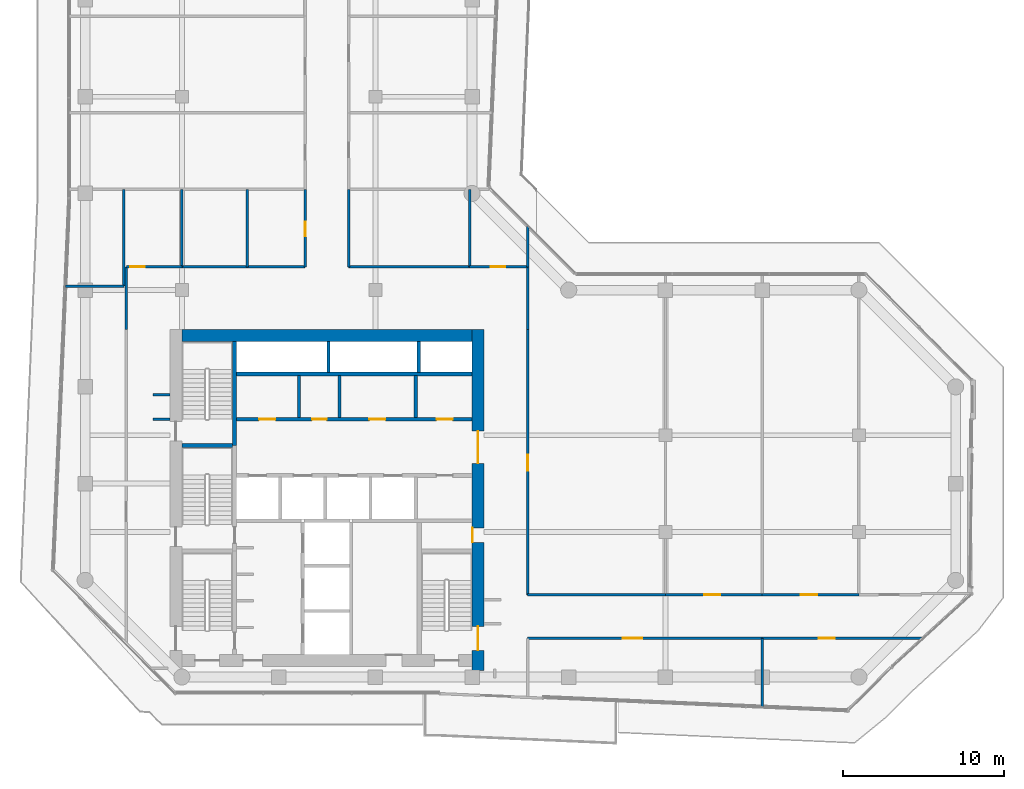
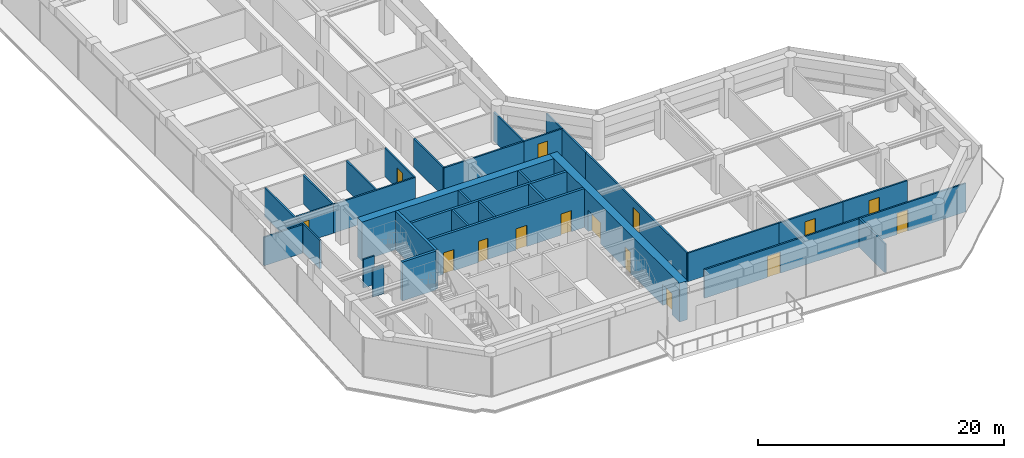
# One storey, part 21 of 25: 34 walls, 15 doors, 15 openings.
"""IFC4 building model written with IfcOpenShell, lengths in metres."""

from ifc_helpers import new_model, si_unit, direction, frame, frame_2d, origin, place, context, subcontext, project, spatial, rectangle, extrude, material, layer, layer_set, type_object, element, fill, save


model = new_model("IFC4")

# Units and contexts
model_context = context("Model", 3, precision=1e-05, world=origin(), true_north=direction((0.0, 1.0)))
body_context = subcontext(model_context, "Body", "Model", "MODEL_VIEW")
ifc_project = project(units=[si_unit("LENGTHUNIT", "METRE"), si_unit("AREAUNIT", "SQUARE_METRE"), si_unit("VOLUMEUNIT", "CUBIC_METRE"), si_unit("PLANEANGLEUNIT", "RADIAN"), si_unit("MASSUNIT", "GRAM", prefix="KILO")], contexts=[model_context])

# Site, building, storey
site_placement = place(None, origin())
site = spatial("IfcSite", under=ifc_project, at=site_placement, CompositionType="ELEMENT")
building_placement = place(site_placement, origin())
building = spatial("IfcBuilding", under=site, at=building_placement, Name="Welwitschia Terrace Campus", CompositionType="ELEMENT")
storey_placement = place(building_placement, frame((0.0, 0.0, 121.39990234375)))
storey = spatial("IfcBuildingStorey", under=building, at=storey_placement, Name="L27", CompositionType="ELEMENT", Elevation=121.39990234375)

# Walls
ifc_material_1 = material(Name="Concrete C32/40", Category="concrete")
ifc_layer_1 = layer(ifc_material_1, 0.175048828125)
ifc_layer_set_1 = layer_set([ifc_layer_1], Name="Concrete C32/40")
wall_type_1 = type_object("IfcWallType", Name="Core partition 175 Concrete C32/40", PredefinedType="PARTITIONING", material=ifc_layer_set_1)
for number, where, z_axis, x_axis, name in (
    (1, (13.27490234375, 20.10009765625, 0.0), (0.0, 0.0, 1.0), (0.0, 1.0, 0.0), "Core partition"),
    (2, (15.77490234375, 20.10009765625, 0.0), (0.0, 0.0, 1.0), (0.0, 1.0, 0.0), "Core partition"),
):
    element("IfcWall", number, at=place(storey_placement, frame(where, z_axis=z_axis, x_axis=x_axis)), inside=storey, type_object=wall_type_1, Name=name, PredefinedType="PARTITIONING", context=body_context, shape_type="SweptSolid", body=[
        extrude(rectangle(XDim=2.599853515625, YDim=0.175048828125, at=frame_2d((1.2998046875, 0.0))), origin(), (0.0, 0.0, 1.0), 3.85009765625),
    ])

# Wall, openings, doors
ifc_material_2 = material(Name="Concrete C32/40", Category="concrete")
ifc_layer_2 = layer(ifc_material_2, 0.22509765625)
ifc_layer_set_2 = layer_set([ifc_layer_2], Name="Concrete C32/40")
wall_type_2 = type_object("IfcWallType", Name="Core partition 225 Concrete C32/40", PredefinedType="PARTITIONING", material=ifc_layer_set_2)
wall_1_placement = place(storey_placement, frame((24.0, 20.0, 0.0), z_axis=(0.0, 0.0, 1.0), x_axis=(-1.0, 0.0, 0.0)))
wall_1 = element("IfcWall", 3, at=wall_1_placement, inside=storey, type_object=wall_type_2, Name="Core partition", PredefinedType="PARTITIONING", context=body_context, shape_type="SweptSolid", body=[
    extrude(rectangle(XDim=14.60009765625, YDim=0.22509765625, at=frame_2d((7.300048828125, 0.0))), origin(), (0.0, 0.0, 1.0), 3.85009765625),
])
opening_1_placement = place(wall_1_placement, frame((12.199951171875, 0.0, 0.0)))
opening_1 = element("IfcOpeningElement", 4, at=opening_1_placement, cuts=wall_1, Name="Opening DR10", PredefinedType="OPENING", context=body_context, shape_type="SweptSolid", body=[
    extrude(rectangle(XDim=1.0, YDim=2.10009765625, at=frame_2d((0.5, 1.050048828125))), frame((0.0, 0.12255859375, 0.0), z_axis=(0.0, -1.0, 0.0), x_axis=(1.0, 0.0, 0.0)), (0.0, 0.0, 1.0), 0.2451171875),
])
opening_2_placement = place(wall_1_placement, frame((9.02490234375, 0.0, 0.0)))
opening_2 = element("IfcOpeningElement", 5, at=opening_2_placement, cuts=wall_1, Name="Opening DR09", PredefinedType="OPENING", context=body_context, shape_type="SweptSolid", body=[
    extrude(rectangle(XDim=0.89990234375, YDim=2.10009765625, at=frame_2d((0.449951171875, 1.050048828125))), frame((0.0, 0.12255859375, 0.0), z_axis=(0.0, -1.0, 0.0), x_axis=(1.0, 0.0, 0.0)), (0.0, 0.0, 1.0), 0.2451171875),
])
opening_3_placement = place(wall_1_placement, frame((5.375, 0.0, 0.0)))
opening_3 = element("IfcOpeningElement", 6, at=opening_3_placement, cuts=wall_1, Name="Opening DR10", PredefinedType="OPENING", context=body_context, shape_type="SweptSolid", body=[
    extrude(rectangle(XDim=1.0, YDim=2.10009765625, at=frame_2d((0.5, 1.050048828125))), frame((0.0, 0.12255859375, 0.0), z_axis=(0.0, -1.0, 0.0), x_axis=(1.0, 0.0, 0.0)), (0.0, 0.0, 1.0), 0.2451171875),
])
opening_4_placement = place(wall_1_placement, frame((1.199951171875, 0.0, 0.0)))
opening_4 = element("IfcOpeningElement", 7, at=opening_4_placement, cuts=wall_1, Name="Opening DR10", PredefinedType="OPENING", context=body_context, shape_type="SweptSolid", body=[
    extrude(rectangle(XDim=1.0, YDim=2.10009765625, at=frame_2d((0.5, 1.050048828125))), frame((0.0, 0.12255859375, 0.0), z_axis=(0.0, -1.0, 0.0), x_axis=(1.0, 0.0, 0.0)), (0.0, 0.0, 1.0), 0.2451171875),
])
ifc_material_3 = material(Name="Steel S275", Category="steel")
door_type_1 = type_object("IfcDoorType", Name="Core door DR09", OperationType="SINGLE_SWING_LEFT", PredefinedType="DOOR", material=ifc_material_3)
door_1_placement = place(opening_2_placement, origin())
door_1 = element("IfcDoor", 8, at=door_1_placement, inside=storey, type_object=door_type_1, Name="Door BAYH2-D", OperationType="SINGLE_SWING_RIGHT", OverallHeight=2.10009765625, OverallWidth=0.89990234375, PredefinedType="DOOR", context=body_context, shape_type="SweptSolid", body=[
    extrude(rectangle(XDim=0.89990234375, YDim=2.10009765625, at=frame_2d((0.449951171875, 1.050048828125))), frame((0.0, 0.02490234375, 0.0), z_axis=(0.0, -1.0, 0.0), x_axis=(1.0, 0.0, 0.0)), (0.0, 0.0, 1.0), 0.050048828125),
])
fill(opening_2, door_1)
ifc_material_4 = material(Name="Steel S275", Category="steel")
door_type_2 = type_object("IfcDoorType", Name="Core door DR10", OperationType="SINGLE_SWING_LEFT", PredefinedType="DOOR", material=ifc_material_4)
door_2_placement = place(opening_1_placement, origin())
door_2 = element("IfcDoor", 9, at=door_2_placement, inside=storey, type_object=door_type_2, Name="Door BAYH1-D", OperationType="SINGLE_SWING_RIGHT", OverallHeight=2.10009765625, OverallWidth=1.0, PredefinedType="DOOR", context=body_context, shape_type="SweptSolid", body=[
    extrude(rectangle(XDim=1.0, YDim=2.10009765625, at=frame_2d((0.5, 1.050048828125))), frame((0.0, 0.02490234375, 0.0), z_axis=(0.0, -1.0, 0.0), x_axis=(1.0, 0.0, 0.0)), (0.0, 0.0, 1.0), 0.050048828125),
])
fill(opening_1, door_2)
door_3_placement = place(opening_3_placement, origin())
door_3 = element("IfcDoor", 10, at=door_3_placement, inside=storey, type_object=door_type_2, Name="Door BAYH3-D", OperationType="SINGLE_SWING_LEFT", OverallHeight=2.10009765625, OverallWidth=1.0, PredefinedType="DOOR", context=body_context, shape_type="SweptSolid", body=[
    extrude(rectangle(XDim=1.0, YDim=2.10009765625, at=frame_2d((0.5, 1.050048828125))), frame((0.0, 0.02490234375, 0.0), z_axis=(0.0, -1.0, 0.0), x_axis=(1.0, 0.0, 0.0)), (0.0, 0.0, 1.0), 0.050048828125),
])
fill(opening_3, door_3)
door_4_placement = place(opening_4_placement, origin())
door_4 = element("IfcDoor", 11, at=door_4_placement, inside=storey, type_object=door_type_2, Name="Door EH-D", OperationType="SINGLE_SWING_LEFT", OverallHeight=2.10009765625, OverallWidth=1.0, PredefinedType="DOOR", context=body_context, shape_type="SweptSolid", body=[
    extrude(rectangle(XDim=1.0, YDim=2.10009765625, at=frame_2d((0.5, 1.050048828125))), frame((0.0, 0.02490234375, 0.0), z_axis=(0.0, -1.0, 0.0), x_axis=(1.0, 0.0, 0.0)), (0.0, 0.0, 1.0), 0.050048828125),
])
fill(opening_4, door_4)

# Walls
wall_2_placement = place(storey_placement, frame((9.39990234375, 22.800048828125, 0.0), z_axis=(0.0, 0.0, 1.0), x_axis=(1.0, 0.0, 0.0)))
element("IfcWall", 12, at=wall_2_placement, inside=storey, type_object=wall_type_2, Name="Shaft wall", PredefinedType="PARTITIONING", context=body_context, shape_type="SweptSolid", body=[
    extrude(rectangle(XDim=14.60009765625, YDim=0.22509765625, at=frame_2d((7.300048828125, 0.0))), origin(), (0.0, 0.0, 1.0), 3.85009765625),
])
wall_3_placement = place(storey_placement, frame((20.5, 20.10009765625, 0.0), z_axis=(0.0, 0.0, 1.0), x_axis=(0.0, 1.0, 0.0)))
element("IfcWall", 13, at=wall_3_placement, inside=storey, type_object=wall_type_2, Name="Core partition", PredefinedType="PARTITIONING", context=body_context, shape_type="SweptSolid", body=[
    extrude(rectangle(XDim=2.599853515625, YDim=0.22509765625, at=frame_2d((1.2998046875, 0.0))), origin(), (0.0, 0.0, 1.0), 3.85009765625),
])
ifc_material_5 = material(Name="Concrete C50/60", Category="concrete")
ifc_layer_3 = layer(ifc_material_5, 0.199951171875)
ifc_layer_set_3 = layer_set([ifc_layer_3], Name="Concrete C50/60")
wall_type_3 = type_object("IfcWallType", Name="Core wall 200 Concrete C50/60", PredefinedType="SHEAR", material=ifc_layer_set_3)
for number, where, z_axis, x_axis, name in (
    (14, (15.10009765625, 22.89990234375, 0.0), (0.0, 0.0, 1.0), (0.0, 1.0, 0.0), "Core wall"),
    (15, (20.699951171875, 22.89990234375, 0.0), (0.0, 0.0, 1.0), (0.0, 1.0, 0.0), "Core wall"),
):
    element("IfcWall", number, at=place(storey_placement, frame(where, z_axis=z_axis, x_axis=x_axis)), inside=storey, type_object=wall_type_3, Name=name, PredefinedType="SHEAR", context=body_context, shape_type="SweptSolid", body=[
        extrude(rectangle(XDim=1.900146484375, YDim=0.199951171875, at=frame_2d((0.9501953125, 0.0))), origin(), (0.0, 0.0, 1.0), 3.85009765625),
    ])
ifc_material_6 = material(Name="Concrete C50/60", Category="concrete")
ifc_layer_4 = layer(ifc_material_6, 0.25)
ifc_layer_set_4 = layer_set([ifc_layer_4], Name="Concrete C50/60")
wall_type_4 = type_object("IfcWallType", Name="Core wall 250 Concrete C50/60", PredefinedType="SHEAR", material=ifc_layer_set_4)
wall_4_placement = place(storey_placement, frame((6.0, 18.375, 0.0), z_axis=(0.0, 0.0, 1.0), x_axis=(1.0, 0.0, 0.0)))
element("IfcWall", 16, at=wall_4_placement, inside=storey, type_object=wall_type_4, Name="Core wall", PredefinedType="SHEAR", context=body_context, shape_type="SweptSolid", body=[
    extrude(rectangle(XDim=3.14990234375, YDim=0.25, at=frame_2d((1.574951171875, 0.0))), origin(), (0.0, 0.0, 1.0), 3.85009765625),
])
wall_5_placement = place(storey_placement, frame((9.27490234375, 18.375, 0.0), z_axis=(0.0, 0.0, 1.0), x_axis=(0.0, 1.0, 0.0)))
element("IfcWall", 17, at=wall_5_placement, inside=storey, type_object=wall_type_4, Name="Core wall", PredefinedType="SHEAR", context=body_context, shape_type="SweptSolid", body=[
    extrude(rectangle(XDim=6.425048828125, YDim=0.25, at=frame_2d((3.21240234375, 0.0))), origin(), (0.0, 0.0, 1.0), 3.85009765625),
])

# Wall, openings, doors
ifc_material_7 = material(Name="Concrete C70/85", Category="concrete")
ifc_layer_5 = layer(ifc_material_7, 0.75)
ifc_layer_set_5 = layer_set([ifc_layer_5], Name="Concrete C70/85")
wall_type_5 = type_object("IfcWallType", Name="Core wall 750 Concrete C70/85", PredefinedType="SHEAR", material=ifc_layer_set_5)
wall_6_placement = place(storey_placement, frame((24.375, 25.550048828125, 0.0), z_axis=(0.0, 0.0, 1.0), x_axis=(0.0, -1.0, 0.0)))
wall_6 = element("IfcWall", 18, at=wall_6_placement, inside=storey, type_object=wall_type_5, Name="Core outer wall", PredefinedType="SHEAR", context=body_context, shape_type="SweptSolid", body=[
    extrude(rectangle(XDim=21.130126953125, YDim=0.75, at=frame_2d((10.56494140625, 0.0))), origin(), (0.0, 0.0, 1.0), 3.85009765625),
])
opening_5_placement = place(wall_6_placement, frame((18.39990234375, 0.0, 0.0)))
opening_5 = element("IfcOpeningElement", 19, at=opening_5_placement, cuts=wall_6, Name="Opening DS15", PredefinedType="OPENING", context=body_context, shape_type="SweptSolid", body=[
    extrude(rectangle(XDim=1.5, YDim=2.10009765625, at=frame_2d((0.75, 1.050048828125))), frame((0.0, 0.385009765625, 0.0), z_axis=(0.0, -1.0, 0.0), x_axis=(1.0, 0.0, 0.0)), (0.0, 0.0, 1.0), 0.77001953125),
])
opening_6_placement = place(wall_6_placement, frame((12.300048828125, 0.0, 0.0)))
opening_6 = element("IfcOpeningElement", 20, at=opening_6_placement, cuts=wall_6, Name="Opening DR09", PredefinedType="OPENING", context=body_context, shape_type="SweptSolid", body=[
    extrude(rectangle(XDim=0.89990234375, YDim=2.10009765625, at=frame_2d((0.449951171875, 1.050048828125))), frame((0.0, 0.385009765625, 0.0), z_axis=(0.0, -1.0, 0.0), x_axis=(1.0, 0.0, 0.0)), (0.0, 0.0, 1.0), 0.77001953125),
])
opening_7_placement = place(wall_6_placement, frame((6.300048828125, 0.0, 0.0)))
opening_7 = element("IfcOpeningElement", 21, at=opening_7_placement, cuts=wall_6, Name="Opening DL20", PredefinedType="OPENING", context=body_context, shape_type="SweptSolid", body=[
    extrude(rectangle(XDim=2.0, YDim=2.10009765625, at=frame_2d((1.0, 1.050048828125))), frame((0.0, 0.385009765625, 0.0), z_axis=(0.0, -1.0, 0.0), x_axis=(1.0, 0.0, 0.0)), (0.0, 0.0, 1.0), 0.77001953125),
])
ifc_material_8 = material(Name="Steel S275", Category="steel")
door_type_3 = type_object("IfcDoorType", Name="Core door DL20", OperationType="DOUBLE_DOOR_SINGLE_SWING", PredefinedType="DOOR", material=ifc_material_8)
door_5_placement = place(opening_7_placement, origin())
door_5 = element("IfcDoor", 22, at=door_5_placement, inside=storey, type_object=door_type_3, Name="Door LOBBY-out", OperationType="DOUBLE_DOOR_SINGLE_SWING", OverallHeight=2.10009765625, OverallWidth=2.0, PredefinedType="DOOR", context=body_context, shape_type="SweptSolid", body=[
    extrude(rectangle(XDim=2.0, YDim=2.10009765625, at=frame_2d((1.0, 1.050048828125))), frame((0.0, 0.02490234375, 0.0), z_axis=(0.0, -1.0, 0.0), x_axis=(1.0, 0.0, 0.0)), (0.0, 0.0, 1.0), 0.050048828125),
])
fill(opening_7, door_5)
door_6_placement = place(opening_6_placement, origin())
door_6 = element("IfcDoor", 23, at=door_6_placement, inside=storey, type_object=door_type_1, Name="Door F1B-out", OperationType="SINGLE_SWING_RIGHT", OverallHeight=2.10009765625, OverallWidth=0.89990234375, PredefinedType="DOOR", context=body_context, shape_type="SweptSolid", body=[
    extrude(rectangle(XDim=0.89990234375, YDim=2.10009765625, at=frame_2d((0.449951171875, 1.050048828125))), frame((0.0, -0.31494140625, 0.0), z_axis=(0.0, -1.0, 0.0), x_axis=(1.0, 0.0, 0.0)), (0.0, 0.0, 1.0), 0.050048828125),
])
fill(opening_6, door_6)
ifc_material_9 = material(Name="Steel S275", Category="steel")
door_type_4 = type_object("IfcDoorType", Name="Core door DS15", OperationType="DOUBLE_DOOR_SINGLE_SWING", PredefinedType="DOOR", material=ifc_material_9)
door_7_placement = place(opening_5_placement, origin())
door_7 = element("IfcDoor", 24, at=door_7_placement, inside=storey, type_object=door_type_4, Name="Door S2-out", OperationType="DOUBLE_DOOR_SINGLE_SWING", OverallHeight=2.10009765625, OverallWidth=1.5, PredefinedType="DOOR", context=body_context, shape_type="SweptSolid", body=[
    extrude(rectangle(XDim=1.5, YDim=2.10009765625, at=frame_2d((0.75, 1.050048828125))), frame((0.0, 0.02490234375, 0.0), z_axis=(0.0, -1.0, 0.0), x_axis=(1.0, 0.0, 0.0)), (0.0, 0.0, 1.0), 0.050048828125),
])
fill(opening_5, door_7)

# Walls
wall_7_placement = place(storey_placement, frame((6.0, 25.175048828125, 0.0), z_axis=(0.0, 0.0, 1.0), x_axis=(1.0, 0.0, 0.0)))
element("IfcWall", 25, at=wall_7_placement, inside=storey, type_object=wall_type_5, Name="Core outer wall", PredefinedType="SHEAR", context=body_context, shape_type="SweptSolid", body=[
    extrude(rectangle(XDim=18.0, YDim=0.75, at=frame_2d((9.0, 0.0))), origin(), (0.0, 0.0, 1.0), 3.85009765625),
])
ifc_material_10 = material(Name="Gypsum board on steel studs", Category="steel")
ifc_layer_6 = layer(ifc_material_10, 0.14990234375)
ifc_layer_set_6 = layer_set([ifc_layer_6], Name="Gypsum board on steel studs")
wall_type_6 = type_object("IfcWallType", Name="Corridor partition 150 EI 30", PredefinedType="PARTITIONING", material=ifc_layer_set_6)
wall_8_placement = place(storey_placement, frame((-1.219970703125, 28.25, 0.0), z_axis=(0.0, 0.0, 1.0), x_axis=(1.0, 0.0, 0.0)))
element("IfcWall", 26, at=wall_8_placement, inside=storey, type_object=wall_type_6, Name="Partition", PredefinedType="PARTITIONING", context=body_context, shape_type="SweptSolid", body=[
    extrude(rectangle(XDim=3.619873046875, YDim=0.14990234375, at=frame_2d((1.81005859375, 0.0))), origin(), (0.0, 0.0, 1.0), 2.830078125),
])
wall_9_placement = place(storey_placement, frame((2.39990234375, 28.25, 0.0), z_axis=(0.0, 0.0, 1.0), x_axis=(0.0, 1.0, 0.0)))
element("IfcWall", 27, at=wall_9_placement, inside=storey, type_object=wall_type_6, Name="Partition", PredefinedType="PARTITIONING", context=body_context, shape_type="SweptSolid", body=[
    extrude(rectangle(XDim=6.0, YDim=0.14990234375, at=frame_2d((3.0, 0.0))), origin(), (0.0, 0.0, 1.0), 2.830078125),
])
wall_10_placement = place(storey_placement, frame((2.550048828125, 25.550048828125, 0.0), z_axis=(0.0, 0.0, 1.0), x_axis=(0.0, 1.0, 0.0)))
element("IfcWall", 28, at=wall_10_placement, inside=storey, type_object=wall_type_6, Name="Partition", PredefinedType="PARTITIONING", context=body_context, shape_type="SweptSolid", body=[
    extrude(rectangle(XDim=3.89990234375, YDim=0.14990234375, at=frame_2d((1.949951171875, 0.0))), origin(), (0.0, 0.0, 1.0), 2.830078125),
])

# Wall, opening, door
wall_11_placement = place(storey_placement, frame((2.550048828125, 29.449951171875, 0.0), z_axis=(0.0, 0.0, 1.0), x_axis=(1.0, 0.0, 0.0)))
wall_11 = element("IfcWall", 29, at=wall_11_placement, inside=storey, type_object=wall_type_6, Name="Partition", PredefinedType="PARTITIONING", context=body_context, shape_type="SweptSolid", body=[
    extrude(rectangle(XDim=3.449951171875, YDim=0.14990234375, at=frame_2d((1.72509765625, 0.0))), origin(), (0.0, 0.0, 1.0), 2.830078125),
])
opening_8_placement = place(wall_11_placement, frame((0.25, 0.0, 0.0)))
opening_8 = element("IfcOpeningElement", 30, at=opening_8_placement, cuts=wall_11, Name="Opening DI09", PredefinedType="OPENING", context=body_context, shape_type="SweptSolid", body=[
    extrude(rectangle(XDim=0.89990234375, YDim=2.10009765625, at=frame_2d((0.449951171875, 1.050048828125))), frame((0.0, 0.0849609375, 0.0), z_axis=(0.0, -1.0, 0.0), x_axis=(1.0, 0.0, 0.0)), (0.0, 0.0, 1.0), 0.169921875),
])
ifc_material_11 = material(Name="Timber veneered door", Category="wood")
door_type_5 = type_object("IfcDoorType", Name="Interior door DI09", OperationType="NOTDEFINED", PredefinedType="DOOR", material=ifc_material_11)
door_8_placement = place(opening_8_placement, origin())
door_8 = element("IfcDoor", 31, at=door_8_placement, inside=storey, type_object=door_type_5, Name="Door L27 582", OperationType="SINGLE_SWING_LEFT", OverallHeight=2.10009765625, OverallWidth=0.89990234375, PredefinedType="DOOR", context=body_context, shape_type="SweptSolid", body=[
    extrude(rectangle(XDim=0.89990234375, YDim=2.10009765625, at=frame_2d((0.449951171875, 1.050048828125))), frame((0.0, 0.02490234375, 0.0), z_axis=(0.0, -1.0, 0.0), x_axis=(1.0, 0.0, 0.0)), (0.0, 0.0, 1.0), 0.050048828125),
])
fill(opening_8, door_8)

# Walls
for number, where, z_axis, x_axis, name in (
    (32, (4.199951171875, 20.0, 0.0), (0.0, 0.0, 1.0), (1.0, 0.0, 0.0), "Partition"),
    (33, (4.199951171875, 21.5, 0.0), (0.0, 0.0, 1.0), (1.0, 0.0, 0.0), "Partition"),
):
    element("IfcWall", number, at=place(storey_placement, frame(where, z_axis=z_axis, x_axis=x_axis)), inside=storey, type_object=wall_type_6, Name=name, PredefinedType="PARTITIONING", context=body_context, shape_type="SweptSolid", body=[
        extrude(rectangle(XDim=1.050048828125, YDim=0.14990234375, at=frame_2d((0.52490234375, 0.0))), origin(), (0.0, 0.0, 1.0), 2.830078125),
    ])
wall_12_placement = place(storey_placement, frame((6.0, 29.449951171875, 0.0), z_axis=(0.0, 0.0, 1.0), x_axis=(0.0, 1.0, 0.0)))
element("IfcWall", 34, at=wall_12_placement, inside=storey, type_object=wall_type_6, Name="Partition", PredefinedType="PARTITIONING", context=body_context, shape_type="SweptSolid", body=[
    extrude(rectangle(XDim=4.800048828125, YDim=0.14990234375, at=frame_2d((2.39990234375, 0.0))), origin(), (0.0, 0.0, 1.0), 2.830078125),
])
wall_13_placement = place(storey_placement, frame((6.0, 29.449951171875, 0.0), z_axis=(0.0, 0.0, 1.0), x_axis=(1.0, 0.0, 0.0)))
element("IfcWall", 35, at=wall_13_placement, inside=storey, type_object=wall_type_6, Name="Partition", PredefinedType="PARTITIONING", context=body_context, shape_type="SweptSolid", body=[
    extrude(rectangle(XDim=7.64990234375, YDim=0.14990234375, at=frame_2d((3.824951171875, 0.0))), origin(), (0.0, 0.0, 1.0), 2.830078125),
])
wall_14_placement = place(storey_placement, frame((10.050048828125, 29.449951171875, 0.0), z_axis=(0.0, 0.0, 1.0), x_axis=(0.0, 1.0, 0.0)))
element("IfcWall", 36, at=wall_14_placement, inside=storey, type_object=wall_type_6, Name="Partition", PredefinedType="PARTITIONING", context=body_context, shape_type="SweptSolid", body=[
    extrude(rectangle(XDim=4.800048828125, YDim=0.14990234375, at=frame_2d((2.39990234375, 0.0))), origin(), (0.0, 0.0, 1.0), 2.830078125),
])

# Wall, opening, door
wall_15_placement = place(storey_placement, frame((13.64990234375, 29.449951171875, 0.0), z_axis=(0.0, 0.0, 1.0), x_axis=(0.0, 1.0, 0.0)))
wall_15 = element("IfcWall", 37, at=wall_15_placement, inside=storey, type_object=wall_type_6, Name="Partition", PredefinedType="PARTITIONING", context=body_context, shape_type="SweptSolid", body=[
    extrude(rectangle(XDim=4.800048828125, YDim=0.14990234375, at=frame_2d((2.39990234375, 0.0))), origin(), (0.0, 0.0, 1.0), 2.830078125),
])
opening_9_placement = place(wall_15_placement, frame((1.89990234375, 0.0, 0.0)))
opening_9 = element("IfcOpeningElement", 38, at=opening_9_placement, cuts=wall_15, Name="Opening DI09", PredefinedType="OPENING", context=body_context, shape_type="SweptSolid", body=[
    extrude(rectangle(XDim=0.89990234375, YDim=2.10009765625, at=frame_2d((0.449951171875, 1.050048828125))), frame((0.0, 0.0849609375, 0.0), z_axis=(0.0, -1.0, 0.0), x_axis=(1.0, 0.0, 0.0)), (0.0, 0.0, 1.0), 0.169921875),
])
door_9_placement = place(opening_9_placement, origin())
door_9 = element("IfcDoor", 39, at=door_9_placement, inside=storey, type_object=door_type_5, Name="Door L27 583", OperationType="SINGLE_SWING_RIGHT", OverallHeight=2.10009765625, OverallWidth=0.89990234375, PredefinedType="DOOR", context=body_context, shape_type="SweptSolid", body=[
    extrude(rectangle(XDim=0.89990234375, YDim=2.10009765625, at=frame_2d((0.449951171875, 1.050048828125))), frame((0.0, 0.02490234375, 0.0), z_axis=(0.0, -1.0, 0.0), x_axis=(1.0, 0.0, 0.0)), (0.0, 0.0, 1.0), 0.050048828125),
])
fill(opening_9, door_9)

# Walls
wall_16_placement = place(storey_placement, frame((16.35009765625, 29.449951171875, 0.0), z_axis=(0.0, 0.0, 1.0), x_axis=(0.0, 1.0, 0.0)))
element("IfcWall", 40, at=wall_16_placement, inside=storey, type_object=wall_type_6, Name="Partition", PredefinedType="PARTITIONING", context=body_context, shape_type="SweptSolid", body=[
    extrude(rectangle(XDim=4.800048828125, YDim=0.14990234375, at=frame_2d((2.39990234375, 0.0))), origin(), (0.0, 0.0, 1.0), 2.830078125),
])
wall_17_placement = place(storey_placement, frame((16.35009765625, 29.449951171875, 0.0), z_axis=(0.0, 0.0, 1.0), x_axis=(1.0, 0.0, 0.0)))
element("IfcWall", 41, at=wall_17_placement, inside=storey, type_object=wall_type_6, Name="Partition", PredefinedType="PARTITIONING", context=body_context, shape_type="SweptSolid", body=[
    extrude(rectangle(XDim=7.5, YDim=0.14990234375, at=frame_2d((3.75, 0.0))), origin(), (0.0, 0.0, 1.0), 2.830078125),
])
wall_18_placement = place(storey_placement, frame((23.85009765625, 29.449951171875, 0.0), z_axis=(0.0, 0.0, 1.0), x_axis=(0.0, 1.0, 0.0)))
element("IfcWall", 42, at=wall_18_placement, inside=storey, type_object=wall_type_6, Name="Partition", PredefinedType="PARTITIONING", context=body_context, shape_type="SweptSolid", body=[
    extrude(rectangle(XDim=4.800048828125, YDim=0.14990234375, at=frame_2d((2.39990234375, 0.0))), origin(), (0.0, 0.0, 1.0), 2.830078125),
])

# Wall, opening, door
wall_19_placement = place(storey_placement, frame((23.85009765625, 29.449951171875, 0.0), z_axis=(0.0, 0.0, 1.0), x_axis=(1.0, 0.0, 0.0)))
wall_19 = element("IfcWall", 43, at=wall_19_placement, inside=storey, type_object=wall_type_6, Name="Partition", PredefinedType="PARTITIONING", context=body_context, shape_type="SweptSolid", body=[
    extrude(rectangle(XDim=3.599853515625, YDim=0.14990234375, at=frame_2d((1.7998046875, 0.0))), origin(), (0.0, 0.0, 1.0), 2.830078125),
])
opening_10_placement = place(wall_19_placement, frame((1.300048828125, 0.0, 0.0)))
opening_10 = element("IfcOpeningElement", 44, at=opening_10_placement, cuts=wall_19, Name="Opening DI09", PredefinedType="OPENING", context=body_context, shape_type="SweptSolid", body=[
    extrude(rectangle(XDim=0.89990234375, YDim=2.10009765625, at=frame_2d((0.449951171875, 1.050048828125))), frame((0.0, 0.0849609375, 0.0), z_axis=(0.0, -1.0, 0.0), x_axis=(1.0, 0.0, 0.0)), (0.0, 0.0, 1.0), 0.169921875),
])
door_10_placement = place(opening_10_placement, origin())
door_10 = element("IfcDoor", 45, at=door_10_placement, inside=storey, type_object=door_type_5, Name="Door L27 593", OperationType="SINGLE_SWING_RIGHT", OverallHeight=2.10009765625, OverallWidth=0.89990234375, PredefinedType="DOOR", context=body_context, shape_type="SweptSolid", body=[
    extrude(rectangle(XDim=0.89990234375, YDim=2.10009765625, at=frame_2d((0.449951171875, 1.050048828125))), frame((0.0, 0.02490234375, 0.0), z_axis=(0.0, -1.0, 0.0), x_axis=(1.0, 0.0, 0.0)), (0.0, 0.0, 1.0), 0.050048828125),
])
fill(opening_10, door_10)

# Wall
wall_20_placement = place(storey_placement, frame((27.449951171875, 9.10009765625, 0.0), z_axis=(0.0, 0.0, 1.0), x_axis=(1.0, 0.0, 0.0)))
element("IfcWall", 46, at=wall_20_placement, inside=storey, type_object=wall_type_6, Name="Partition", PredefinedType="PARTITIONING", context=body_context, shape_type="SweptSolid", body=[
    extrude(rectangle(XDim=8.550048828125, YDim=0.14990234375, at=frame_2d((4.27490234375, 0.0))), origin(), (0.0, 0.0, 1.0), 2.830078125),
])

# Wall, opening, door
wall_21_placement = place(storey_placement, frame((27.449951171875, 25.550048828125, 0.0), z_axis=(0.0, 0.0, 1.0), x_axis=(0.0, -1.0, 0.0)))
wall_21 = element("IfcWall", 47, at=wall_21_placement, inside=storey, type_object=wall_type_6, Name="Partition", PredefinedType="PARTITIONING", context=body_context, shape_type="SweptSolid", body=[
    extrude(rectangle(XDim=16.449951171875, YDim=0.14990234375, at=frame_2d((8.22509765625, 0.0))), origin(), (0.0, 0.0, 1.0), 2.830078125),
])
opening_11_placement = place(wall_21_placement, frame((7.75, 0.0, 0.0)))
opening_11 = element("IfcOpeningElement", 48, at=opening_11_placement, cuts=wall_21, Name="Opening DI10", PredefinedType="OPENING", context=body_context, shape_type="SweptSolid", body=[
    extrude(rectangle(XDim=1.0, YDim=2.10009765625, at=frame_2d((0.5, 1.050048828125))), frame((0.0, 0.0849609375, 0.0), z_axis=(0.0, -1.0, 0.0), x_axis=(1.0, 0.0, 0.0)), (0.0, 0.0, 1.0), 0.169921875),
])
ifc_material_12 = material(Name="Timber veneered door", Category="wood")
door_type_6 = type_object("IfcDoorType", Name="Interior door DI10", OperationType="NOTDEFINED", PredefinedType="DOOR", material=ifc_material_12)
door_11_placement = place(opening_11_placement, origin())
door_11 = element("IfcDoor", 49, at=door_11_placement, inside=storey, type_object=door_type_6, Name="Door L27 594", OperationType="SINGLE_SWING_LEFT", OverallHeight=2.10009765625, OverallWidth=1.0, PredefinedType="DOOR", context=body_context, shape_type="SweptSolid", body=[
    extrude(rectangle(XDim=1.0, YDim=2.10009765625, at=frame_2d((0.5, 1.050048828125))), frame((0.0, 0.02490234375, 0.0), z_axis=(0.0, -1.0, 0.0), x_axis=(1.0, 0.0, 0.0)), (0.0, 0.0, 1.0), 0.050048828125),
])
fill(opening_11, door_11)

# Walls
wall_22_placement = place(storey_placement, frame((27.449951171875, 25.550048828125, 0.0), z_axis=(0.0, 0.0, 1.0), x_axis=(0.0, 1.0, 0.0)))
element("IfcWall", 50, at=wall_22_placement, inside=storey, type_object=wall_type_6, Name="Partition", PredefinedType="PARTITIONING", context=body_context, shape_type="SweptSolid", body=[
    extrude(rectangle(XDim=3.89990234375, YDim=0.14990234375, at=frame_2d((1.949951171875, 0.0))), origin(), (0.0, 0.0, 1.0), 2.830078125),
])
wall_23_placement = place(storey_placement, frame((27.449951171875, 29.449951171875, 0.0), z_axis=(0.0, 0.0, 1.0), x_axis=(0.0, 1.0, 0.0)))
element("IfcWall", 51, at=wall_23_placement, inside=storey, type_object=wall_type_6, Name="Partition", PredefinedType="PARTITIONING", context=body_context, shape_type="SweptSolid", body=[
    extrude(rectangle(XDim=2.489990234375, YDim=0.14990234375, at=frame_2d((1.2451171875, 0.0))), origin(), (0.0, 0.0, 1.0), 2.830078125),
])

# Wall, opening, door
wall_24_placement = place(storey_placement, frame((36.0, 9.10009765625, 0.0), z_axis=(0.0, 0.0, 1.0), x_axis=(1.0, 0.0, 0.0)))
wall_24 = element("IfcWall", 52, at=wall_24_placement, inside=storey, type_object=wall_type_6, Name="Partition", PredefinedType="PARTITIONING", context=body_context, shape_type="SweptSolid", body=[
    extrude(rectangle(XDim=6.0, YDim=0.14990234375, at=frame_2d((3.0, 0.0))), origin(), (0.0, 0.0, 1.0), 2.830078125),
])
opening_12_placement = place(wall_24_placement, frame((2.39990234375, 0.0, 0.0)))
opening_12 = element("IfcOpeningElement", 53, at=opening_12_placement, cuts=wall_24, Name="Opening DI10", PredefinedType="OPENING", context=body_context, shape_type="SweptSolid", body=[
    extrude(rectangle(XDim=1.0, YDim=2.10009765625, at=frame_2d((0.5, 1.050048828125))), frame((0.0, 0.0849609375, 0.0), z_axis=(0.0, -1.0, 0.0), x_axis=(1.0, 0.0, 0.0)), (0.0, 0.0, 1.0), 0.169921875),
])
door_12_placement = place(opening_12_placement, origin())
door_12 = element("IfcDoor", 54, at=door_12_placement, inside=storey, type_object=door_type_6, Name="Door L27 595", OperationType="SINGLE_SWING_RIGHT", OverallHeight=2.10009765625, OverallWidth=1.0, PredefinedType="DOOR", context=body_context, shape_type="SweptSolid", body=[
    extrude(rectangle(XDim=1.0, YDim=2.10009765625, at=frame_2d((0.5, 1.050048828125))), frame((0.0, 0.02490234375, 0.0), z_axis=(0.0, -1.0, 0.0), x_axis=(1.0, 0.0, 0.0)), (0.0, 0.0, 1.0), 0.050048828125),
])
fill(opening_12, door_12)

# Wall
wall_25_placement = place(storey_placement, frame((42.0, 2.14990234375, 0.0), z_axis=(0.0, 0.0, 1.0), x_axis=(0.0, 1.0, 0.0)))
element("IfcWall", 55, at=wall_25_placement, inside=storey, type_object=wall_type_6, Name="Partition", PredefinedType="PARTITIONING", context=body_context, shape_type="SweptSolid", body=[
    extrude(rectangle(XDim=4.25, YDim=0.14990234375, at=frame_2d((2.125, 0.0))), origin(), (0.0, 0.0, 1.0), 2.830078125),
])

# Wall, opening, door
wall_26_placement = place(storey_placement, frame((42.0, 6.39990234375, 0.0), z_axis=(0.0, 0.0, 1.0), x_axis=(-1.0, 0.0, 0.0)))
wall_26 = element("IfcWall", 56, at=wall_26_placement, inside=storey, type_object=wall_type_6, Name="Partition", PredefinedType="PARTITIONING", context=body_context, shape_type="SweptSolid", body=[
    extrude(rectangle(XDim=14.550048828125, YDim=0.14990234375, at=frame_2d((7.27490234375, 0.0))), origin(), (0.0, 0.0, 1.0), 2.830078125),
])
opening_13_placement = place(wall_26_placement, frame((7.449951171875, 0.0, 0.0)))
opening_13 = element("IfcOpeningElement", 57, at=opening_13_placement, cuts=wall_26, Name="Opening DI12", PredefinedType="OPENING", context=body_context, shape_type="SweptSolid", body=[
    extrude(rectangle(XDim=1.199951171875, YDim=2.10009765625, at=frame_2d((0.60009765625, 1.050048828125))), frame((0.0, 0.0849609375, 0.0), z_axis=(0.0, -1.0, 0.0), x_axis=(1.0, 0.0, 0.0)), (0.0, 0.0, 1.0), 0.169921875),
])
ifc_material_13 = material(Name="Timber veneered door", Category="wood")
door_type_7 = type_object("IfcDoorType", Name="Interior door DI12", OperationType="NOTDEFINED", PredefinedType="DOOR", material=ifc_material_13)
door_13_placement = place(opening_13_placement, origin())
door_13 = element("IfcDoor", 58, at=door_13_placement, inside=storey, type_object=door_type_7, Name="Door L27 596", OperationType="SINGLE_SWING_LEFT", OverallHeight=2.10009765625, OverallWidth=1.199951171875, PredefinedType="DOOR", context=body_context, shape_type="SweptSolid", body=[
    extrude(rectangle(XDim=1.199951171875, YDim=2.10009765625, at=frame_2d((0.60009765625, 1.050048828125))), frame((0.0, 0.02490234375, 0.0), z_axis=(0.0, -1.0, 0.0), x_axis=(1.0, 0.0, 0.0)), (0.0, 0.0, 1.0), 0.050048828125),
])
fill(opening_13, door_13)

wall_27_placement = place(storey_placement, frame((42.0, 9.10009765625, 0.0), z_axis=(0.0, 0.0, 1.0), x_axis=(1.0, 0.0, 0.0)))
wall_27 = element("IfcWall", 59, at=wall_27_placement, inside=storey, type_object=wall_type_6, Name="Partition", PredefinedType="PARTITIONING", context=body_context, shape_type="SweptSolid", body=[
    extrude(rectangle(XDim=6.0, YDim=0.14990234375, at=frame_2d((3.0, 0.0))), origin(), (0.0, 0.0, 1.0), 2.830078125),
])
opening_14_placement = place(wall_27_placement, frame((2.39990234375, 0.0, 0.0)))
opening_14 = element("IfcOpeningElement", 60, at=opening_14_placement, cuts=wall_27, Name="Opening DI10", PredefinedType="OPENING", context=body_context, shape_type="SweptSolid", body=[
    extrude(rectangle(XDim=1.0, YDim=2.10009765625, at=frame_2d((0.5, 1.050048828125))), frame((0.0, 0.0849609375, 0.0), z_axis=(0.0, -1.0, 0.0), x_axis=(1.0, 0.0, 0.0)), (0.0, 0.0, 1.0), 0.169921875),
])
door_14_placement = place(opening_14_placement, origin())
door_14 = element("IfcDoor", 61, at=door_14_placement, inside=storey, type_object=door_type_6, Name="Door L27 597", OperationType="SINGLE_SWING_RIGHT", OverallHeight=2.10009765625, OverallWidth=1.0, PredefinedType="DOOR", context=body_context, shape_type="SweptSolid", body=[
    extrude(rectangle(XDim=1.0, YDim=2.10009765625, at=frame_2d((0.5, 1.050048828125))), frame((0.0, 0.02490234375, 0.0), z_axis=(0.0, -1.0, 0.0), x_axis=(1.0, 0.0, 0.0)), (0.0, 0.0, 1.0), 0.050048828125),
])
fill(opening_14, door_14)

wall_28_placement = place(storey_placement, frame((51.949951171875, 6.39990234375, 0.0), z_axis=(0.0, 0.0, 1.0), x_axis=(-1.0, 0.0, 0.0)))
wall_28 = element("IfcWall", 62, at=wall_28_placement, inside=storey, type_object=wall_type_6, Name="Partition", PredefinedType="PARTITIONING", context=body_context, shape_type="SweptSolid", body=[
    extrude(rectangle(XDim=9.949951171875, YDim=0.14990234375, at=frame_2d((4.97509765625, 0.0))), origin(), (0.0, 0.0, 1.0), 2.830078125),
])
opening_15_placement = place(wall_28_placement, frame((5.449951171875, 0.0, 0.0)))
opening_15 = element("IfcOpeningElement", 63, at=opening_15_placement, cuts=wall_28, Name="Opening DI10", PredefinedType="OPENING", context=body_context, shape_type="SweptSolid", body=[
    extrude(rectangle(XDim=1.0, YDim=2.10009765625, at=frame_2d((0.5, 1.050048828125))), frame((0.0, 0.0849609375, 0.0), z_axis=(0.0, -1.0, 0.0), x_axis=(1.0, 0.0, 0.0)), (0.0, 0.0, 1.0), 0.169921875),
])
door_15_placement = place(opening_15_placement, origin())
door_15 = element("IfcDoor", 64, at=door_15_placement, inside=storey, type_object=door_type_6, Name="Door L27 599", OperationType="SINGLE_SWING_RIGHT", OverallHeight=2.10009765625, OverallWidth=1.0, PredefinedType="DOOR", context=body_context, shape_type="SweptSolid", body=[
    extrude(rectangle(XDim=1.0, YDim=2.10009765625, at=frame_2d((0.5, 1.050048828125))), frame((0.0, 0.02490234375, 0.0), z_axis=(0.0, -1.0, 0.0), x_axis=(1.0, 0.0, 0.0)), (0.0, 0.0, 1.0), 0.050048828125),
])
fill(opening_15, door_15)

save(model, "model.ifc")
